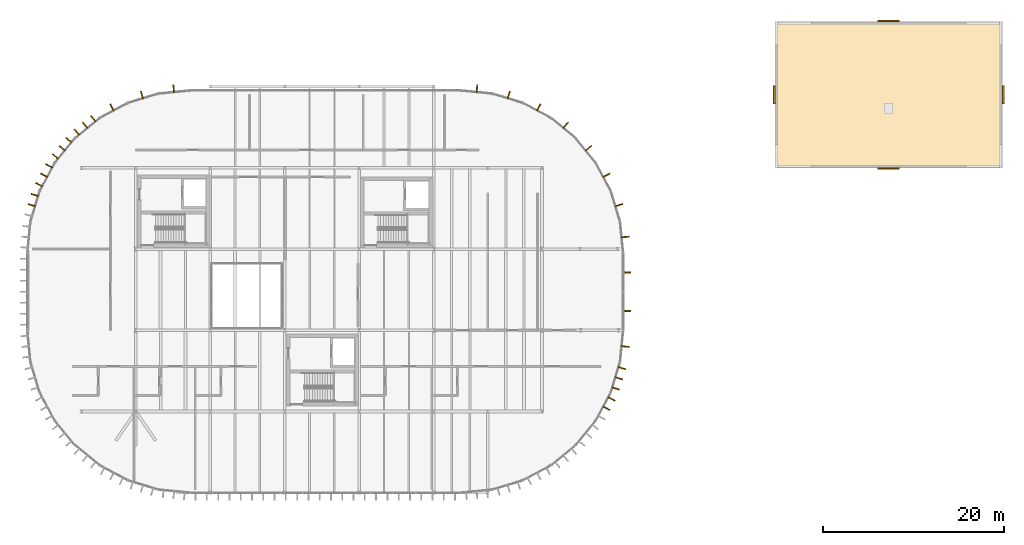
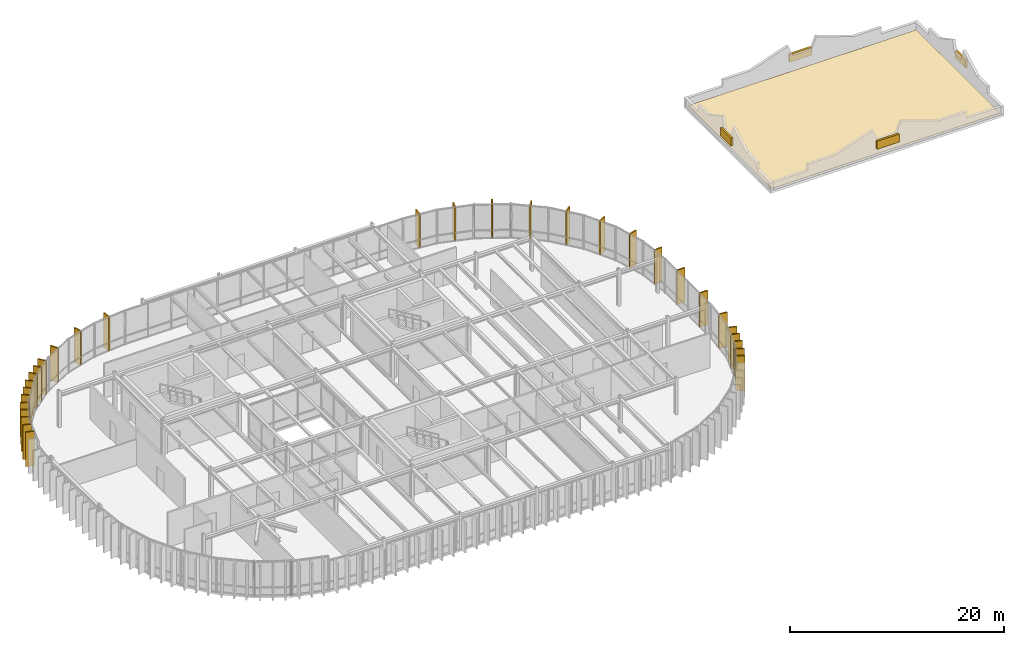
# One storey, part 27 of 27: 35 coverings.
"""IFC4 building model written with IfcOpenShell, lengths in metres."""

from ifc_helpers import new_model, si_unit, direction, frame, origin, origin_2d, place, context, subcontext, project, spatial, polyline, rectangle, outline, extrude, material, layer, layer_set, type_object, element, save


model = new_model("IFC4")

# Units and contexts
model_context = context("Model", 3, precision=1e-05, world=origin(), true_north=direction((0.0, 1.0)))
body_context = subcontext(model_context, "Body", "Model", "MODEL_VIEW")
ifc_project = project(units=[si_unit("LENGTHUNIT", "METRE"), si_unit("AREAUNIT", "SQUARE_METRE"), si_unit("VOLUMEUNIT", "CUBIC_METRE"), si_unit("PLANEANGLEUNIT", "RADIAN"), si_unit("MASSUNIT", "GRAM", prefix="KILO")], contexts=[model_context])

# Site, building, storey
site_placement = place(None, origin())
site = spatial("IfcSite", under=ifc_project, at=site_placement, CompositionType="ELEMENT")
building_placement = place(site_placement, origin())
building = spatial("IfcBuilding", under=site, at=building_placement, Name="Montealbar Specialist Clinic", CompositionType="ELEMENT")
storey_placement = place(building_placement, frame((0.0, 0.0, 18.0)))
storey = spatial("IfcBuildingStorey", under=building, at=storey_placement, Name="L04", CompositionType="ELEMENT", Elevation=18.0)

# Coverings
ifc_material_1 = material(Name="Thermally modified timber cladding", Category="wood")
ifc_layer_1 = layer(ifc_material_1, 0.139892578125, Name="Thermally modified timber cladding", Category="wood")
ifc_layer_set_1 = layer_set([ifc_layer_1], Name="Thermally modified timber cladding")
covering_type_1 = type_object("IfcCoveringType", Name="COV-FIN-TIMBER-850", PredefinedType="CLADDING", material=ifc_layer_set_1)
for number, where, z_axis, x_axis, name in (
    (1, (54.47509765625, 31.865966796875, 0.0), (0.0, 0.0, 1.0), (-0.956948083701, 0.290259134399, 0.0), "Vertical Timber Solar Fin CF-L04-0286"),
    (2, (54.81689453125, 32.990966796875, 0.0), (0.0, 0.0, 1.0), (-0.956948083701, 0.290259134399, 0.0), "Vertical Timber Solar Fin CF-L04-0287"),
    (3, (55.294921875, 34.14501953125, 0.0), (0.0, 0.0, 1.0), (-0.881850411644, 0.471529268958, 0.0), "Vertical Timber Solar Fin CF-L04-0288"),
    (4, (55.84912109375, 35.18310546875, 0.0), (0.0, 0.0, 1.0), (-0.881850411644, 0.471529268958, 0.0), "Vertical Timber Solar Fin CF-L04-0289"),
    (5, (56.404052734375, 36.219970703125, 0.0), (0.0, 0.0, 1.0), (-0.881850411644, 0.471529268958, 0.0), "Vertical Timber Solar Fin CF-L04-0290"),
    (6, (57.097900390625, 37.258056640625, 0.0), (0.0, 0.0, 1.0), (-0.773123255923, 0.634255808922, 0.0), "Vertical Timber Solar Fin CF-L04-0291"),
    (7, (57.843994140625, 38.16796875, 0.0), (0.0, 0.0, 1.0), (-0.773123255923, 0.634255808922, 0.0), "Vertical Timber Solar Fin CF-L04-0292"),
    (8, (58.590087890625, 39.076904296875, 0.0), (0.0, 0.0, 1.0), (-0.773123255923, 0.634255808922, 0.0), "Vertical Timber Solar Fin CF-L04-0293"),
    (9, (59.472900390625, 39.9599609375, 0.0), (0.0, 0.0, 1.0), (-0.634255808922, 0.773123255923, 0.0), "Vertical Timber Solar Fin CF-L04-0294"),
    (10, (60.382080078125, 40.7060546875, 0.0), (0.0, 0.0, 1.0), (-0.634255808922, 0.773123255923, 0.0), "Vertical Timber Solar Fin CF-L04-0295"),
    (11, (61.2919921875, 41.451904296875, 0.0), (0.0, 0.0, 1.0), (-0.634255808922, 0.773123255923, 0.0), "Vertical Timber Solar Fin CF-L04-0296"),
    (12, (63.366943359375, 42.700927734375, 0.0), (0.0, 0.0, 1.0), (-0.471529268958, 0.881850411644, 0.0), "Vertical Timber Solar Fin CF-L04-0297"),
    (13, (66.68408203125, 44.074951171875, 0.0), (0.0, 0.0, 1.0), (-0.290259134399, 0.956948083701, 0.0), "Vertical Timber Solar Fin CF-L04-0298"),
    (14, (70.205078125, 44.77490234375, 0.0), (0.0, 0.0, 1.0), (-0.098044697094, 0.995182012183, 0.0), "Vertical Timber Solar Fin CF-L04-0299"),
    (15, (103.794921875, 44.77490234375, 0.0), (0.0, 0.0, 1.0), (0.098044697094, 0.995182012183, 0.0), "Vertical Timber Solar Fin CF-L04-0300"),
    (16, (107.31591796875, 44.074951171875, 0.0), (0.0, 0.0, 1.0), (0.290259134399, 0.956948083701, 0.0), "Vertical Timber Solar Fin CF-L04-0301"),
    (17, (110.633056640625, 42.700927734375, 0.0), (0.0, 0.0, 1.0), (0.471529268958, 0.881850411644, 0.0), "Vertical Timber Solar Fin CF-L04-0302"),
    (18, (113.617919921875, 40.7060546875, 0.0), (0.0, 0.0, 1.0), (0.634255808922, 0.773123255923, 0.0), "Vertical Timber Solar Fin CF-L04-0303"),
    (19, (116.156005859375, 38.16796875, 0.0), (0.0, 0.0, 1.0), (0.773123255923, 0.634255808922, 0.0), "Vertical Timber Solar Fin CF-L04-0304"),
    (20, (118.15087890625, 35.18310546875, 0.0), (0.0, 0.0, 1.0), (0.881850411644, 0.471529268958, 0.0), "Vertical Timber Solar Fin CF-L04-0305"),
    (21, (119.52490234375, 31.865966796875, 0.0), (0.0, 0.0, 1.0), (0.956948083701, 0.290259134399, 0.0), "Vertical Timber Solar Fin CF-L04-0306"),
    (22, (120.22509765625, 28.344970703125, 0.0), (0.0, 0.0, 1.0), (0.995182012183, 0.098044697094, 0.0), "Vertical Timber Solar Fin CF-L04-0307"),
    (23, (120.39990234375, 24.4130859375, 0.0), (0.0, 0.0, 1.0), (1.0, 0.0, 0.0), "Vertical Timber Solar Fin CF-L04-0308"),
    (24, (120.39990234375, 20.136962890625, 0.0), (0.0, 0.0, 1.0), (1.0, 0.0, 0.0), "Vertical Timber Solar Fin CF-L04-0309"),
    (25, (120.22509765625, 16.205078125, 0.0), (0.0, 0.0, 1.0), (0.995182012183, -0.098044697094, 0.0), "Vertical Timber Solar Fin CF-L04-0310"),
    (26, (119.865966796875, 13.80908203125, 0.0), (0.0, 0.0, 1.0), (0.956948083701, -0.290259134399, 0.0), "Vertical Timber Solar Fin CF-L04-0311"),
    (27, (119.52490234375, 12.68408203125, 0.0), (0.0, 0.0, 1.0), (0.956948083701, -0.290259134399, 0.0), "Vertical Timber Solar Fin CF-L04-0312"),
    (28, (119.18310546875, 11.55908203125, 0.0), (0.0, 0.0, 1.0), (0.956948083701, -0.290259134399, 0.0), "Vertical Timber Solar Fin CF-L04-0313"),
    (29, (118.705078125, 10.405029296875, 0.0), (0.0, 0.0, 1.0), (0.881850411644, -0.471529268958, 0.0), "Vertical Timber Solar Fin CF-L04-0314"),
    (30, (118.15087890625, 9.366943359375, 0.0), (0.0, 0.0, 1.0), (0.881850411644, -0.471529268958, 0.0), "Vertical Timber Solar Fin CF-L04-0315"),
):
    element("IfcCovering", number, at=place(storey_placement, frame(where, z_axis=z_axis, x_axis=x_axis)), inside=storey, type_object=covering_type_1, Name=name, PredefinedType="CLADDING", context=body_context, shape_type="SweptSolid", body=[
        extrude(rectangle(XDim=0.85009765625, YDim=0.139892578125, at=origin_2d()), origin(), (0.0, 0.0, 1.0), 3.919921875),
    ])
ifc_material_2 = material(Name="Guadarrama granite ashlar", Category="masonry")
ifc_layer_2 = layer(ifc_material_2, 0.280029296875, Name="Guadarrama granite ashlar", Category="masonry")
ifc_layer_set_2 = layer_set([ifc_layer_2], Name="Guadarrama granite ashlar")
covering_type_2 = type_object("IfcCoveringType", Name="COV-HOOD-OCULUS", PredefinedType="CLADDING", material=ifc_layer_set_2)
covering_1_placement = place(storey_placement, frame((162.070068359375, 44.10009765625, 0.900146484375), z_axis=(0.0, 0.0, 1.0), x_axis=(0.0, -1.0, 0.0)))
element("IfcCovering", 31, at=covering_1_placement, inside=storey, type_object=covering_type_2, Name="Postmodern Pediment Granite Keystone L04-16", PredefinedType="CLADDING", context=body_context, shape_type="SweptSolid", body=[
    extrude(rectangle(XDim=1.944091796875, YDim=0.219970703125, at=origin_2d()), origin(), (0.0, 0.0, 1.0), 0.89990234375),
])
covering_2_placement = place(storey_placement, frame((149.39990234375, 35.929931640625, 0.900146484375), z_axis=(0.0, 0.0, 1.0), x_axis=(-1.0, 0.0, 0.0)))
element("IfcCovering", 32, at=covering_2_placement, inside=storey, type_object=covering_type_2, Name="Postmodern Pediment Granite Keystone L04-17", PredefinedType="CLADDING", context=body_context, shape_type="SweptSolid", body=[
    extrude(rectangle(XDim=2.39990234375, YDim=0.219970703125, at=origin_2d()), origin(), (0.0, 0.0, 1.0), 0.89990234375),
])
covering_3_placement = place(storey_placement, frame((136.72998046875, 44.10009765625, 0.900146484375), z_axis=(0.0, 0.0, 1.0), x_axis=(0.0, 1.0, 0.0)))
element("IfcCovering", 33, at=covering_3_placement, inside=storey, type_object=covering_type_2, Name="Postmodern Pediment Granite Keystone L04-18", PredefinedType="CLADDING", context=body_context, shape_type="SweptSolid", body=[
    extrude(rectangle(XDim=1.944091796875, YDim=0.219970703125, at=origin_2d()), origin(), (0.0, 0.0, 1.0), 0.89990234375),
])
covering_4_placement = place(storey_placement, frame((149.39990234375, 52.27001953125, 0.900146484375), z_axis=(0.0, 0.0, 1.0), x_axis=(1.0, 0.0, 0.0)))
element("IfcCovering", 34, at=covering_4_placement, inside=storey, type_object=covering_type_2, Name="Postmodern Pediment Granite Keystone L04-19", PredefinedType="CLADDING", context=body_context, shape_type="SweptSolid", body=[
    extrude(rectangle(XDim=2.39990234375, YDim=0.219970703125, at=origin_2d()), origin(), (0.0, 0.0, 1.0), 0.89990234375),
])
ifc_material_3 = material(Name="Weatherproof roofing membrane", Category="concrete")
ifc_layer_3 = layer(ifc_material_3, 0.030029296875, Name="Weatherproof roofing membrane", Category="concrete")
ifc_layer_set_3 = layer_set([ifc_layer_3], Name="Weatherproof roofing membrane")
covering_type_3 = type_object("IfcCoveringType", Name="COV-ROOF-MEMB", PredefinedType="ROOFING", material=ifc_layer_set_3)
covering_5_placement = place(storey_placement, origin())
element("IfcCovering", 35, at=covering_5_placement, inside=storey, type_object=covering_type_3, Name="Weatherproof Roof Membrane ROOF-L04-01", PredefinedType="ROOFING", context=body_context, shape_type="SweptSolid", body=[
    extrude(outline(polyline([(161.719970703125, 51.919921875), (161.719970703125, 36.280029296875), (137.080078125, 36.280029296875), (137.080078125, 51.919921875), (161.719970703125, 51.919921875)])), origin(), (0.0, 0.0, 1.0), 0.030029296875),
])

save(model, "model.ifc")
